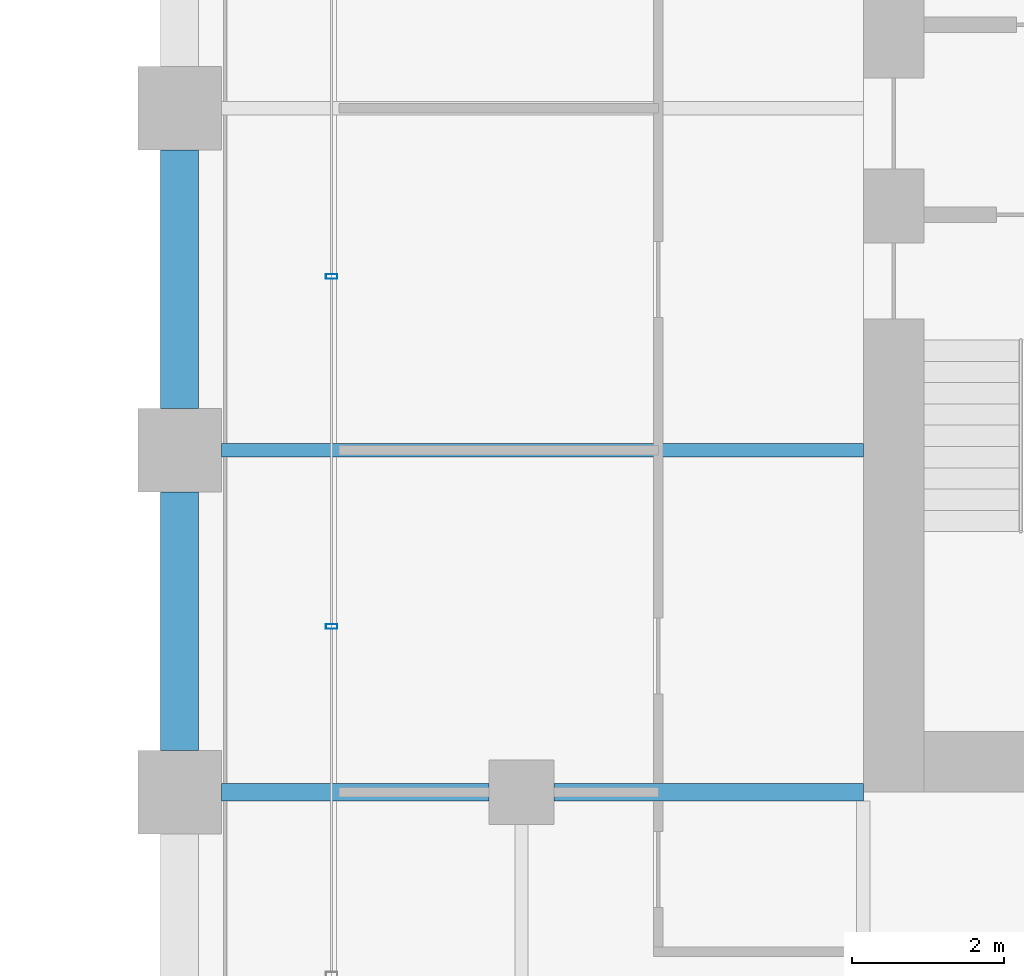
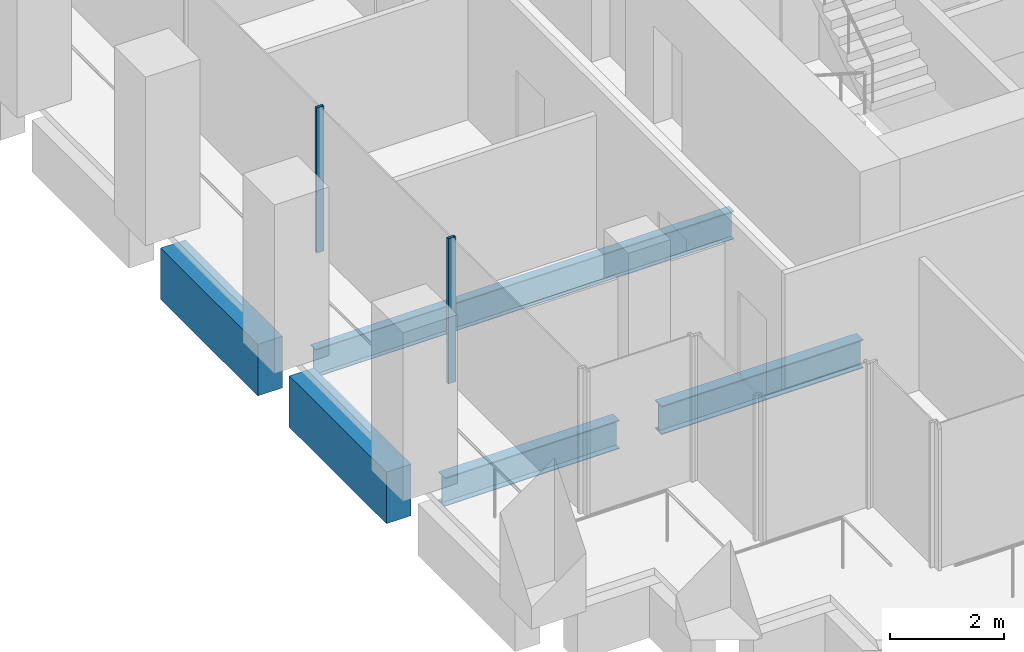
# One storey, part 36 of 56: 5 beams, 2 members, 1 element without a shape of its own.
"""IFC4 building model written with IfcOpenShell, lengths in metres."""

from ifc_helpers import new_model, si_unit, direction, frame, origin, origin_2d, place, context, subcontext, project, spatial, rectangle, hollow_rectangle, i_section, extrude, material, material_profile, profile_set, type_object, element, aggregate, save


model = new_model("IFC4")

# Units and contexts
model_context = context("Model", 3, precision=1e-05, world=origin(), true_north=direction((0.0, 1.0)))
body_context = subcontext(model_context, "Body", "Model", "MODEL_VIEW")
ifc_project = project(units=[si_unit("LENGTHUNIT", "METRE"), si_unit("AREAUNIT", "SQUARE_METRE"), si_unit("VOLUMEUNIT", "CUBIC_METRE"), si_unit("PLANEANGLEUNIT", "RADIAN"), si_unit("MASSUNIT", "GRAM", prefix="KILO")], contexts=[model_context])

# Site, building, storey
site_placement = place(None, origin())
site = spatial("IfcSite", under=ifc_project, at=site_placement, CompositionType="ELEMENT")
building_placement = place(site_placement, origin())
building = spatial("IfcBuilding", under=site, at=building_placement, Name="Altepetl Exchange Towers", CompositionType="ELEMENT")
storey_placement = place(building_placement, frame((0.0, 0.0, 51.0)))
storey = spatial("IfcBuildingStorey", under=building, at=storey_placement, Name="L11", CompositionType="ELEMENT", Elevation=51.0)

# Beams
ifc_material_1 = material(Name="Steel S355", Category="steel")
ifc_material_profile_1 = material_profile(ifc_material_1, i_section(OverallWidth=0.177978515625, OverallDepth=0.59912109375, WebThickness=0.010009765625, FlangeThickness=0.0126953125, at=origin_2d()), Name="W24X55")
ifc_profile_set_1 = profile_set([ifc_material_profile_1], Name="Steel S355")
beam_type_1 = type_object("IfcBeamType", Name="Floor beam W24X55", PredefinedType="BEAM", material=ifc_profile_set_1)
beam_1_placement = place(storey_placement, frame((95.050048828125, 40.5, -0.449462890625), z_axis=(1.0, 0.0, 0.0), x_axis=(0.0, 1.0, 0.0)))
element("IfcBeam", 1, at=beam_1_placement, inside=storey, type_object=beam_type_1, Name="bm:B:L11:012", PredefinedType="BEAM", context=body_context, shape_type="SweptSolid", body=[
    extrude(i_section(OverallWidth=0.177978515625, OverallDepth=0.59912109375, WebThickness=0.010009765625, FlangeThickness=0.0126953125, at=origin_2d()), origin(), (0.0, 0.0, 1.0), 8.449951171875),
])
ifc_material_profile_2 = material_profile(ifc_material_1, i_section(OverallWidth=0.22802734375, OverallDepth=0.60791015625, WebThickness=0.01123046875, FlangeThickness=0.017333984375, at=origin_2d()), Name="W24X76")
ifc_profile_set_2 = profile_set([ifc_material_profile_2], Name="Steel S355")
beam_type_2 = type_object("IfcBeamType", Name="Girder W24X76", PredefinedType="BEAM", material=ifc_profile_set_2)
beam_2_placement = place(storey_placement, frame((103.5, 36.0, -0.4541015625), z_axis=(-1.0, 0.0, 0.0), x_axis=(0.0, -1.0, 0.0)))
element("IfcBeam", 2, at=beam_2_placement, inside=storey, type_object=beam_type_2, Name="gd:B:L11:006", PredefinedType="BEAM", context=body_context, shape_type="SweptSolid", body=[
    extrude(i_section(OverallWidth=0.22802734375, OverallDepth=0.60791015625, WebThickness=0.01123046875, FlangeThickness=0.017333984375, at=origin_2d()), origin(), (0.0, 0.0, 1.0), 4.074951171875),
])
beam_3_placement = place(storey_placement, frame((98.574951171875, 36.0, -0.4541015625), z_axis=(-1.0, 0.0, 0.0), x_axis=(0.0, -1.0, 0.0)))
element("IfcBeam", 3, at=beam_3_placement, inside=storey, type_object=beam_type_2, Name="gd:B:L11:007", PredefinedType="BEAM", context=body_context, shape_type="SweptSolid", body=[
    extrude(i_section(OverallWidth=0.22802734375, OverallDepth=0.60791015625, WebThickness=0.01123046875, FlangeThickness=0.017333984375, at=origin_2d()), origin(), (0.0, 0.0, 1.0), 3.52490234375),
])

# Curtain wall, members
ifc_material_2 = material(Name="Aluminium 6063-T6 glazing", Category="aluminium")
curtain_wall_type = type_object("IfcCurtainWallType", Name="Loggia glazing system", PredefinedType="NOTDEFINED", material=ifc_material_2)
curtain_wall_placement = place(storey_placement, origin())
curtain_wall = element("IfcCurtainWall", 4, at=curtain_wall_placement, inside=storey, type_object=curtain_wall_type, Name="CW1 run", PredefinedType="NOTDEFINED")
ifc_material_3 = material(Name="Aluminium 6063-T6", Category="aluminium")
ifc_material_profile_3 = material_profile(ifc_material_3, hollow_rectangle(XDim=0.06005859375, YDim=0.14990234375, WallThickness=0.0029296875, at=origin_2d()), Name="Mullion 60x150 aluminium")
ifc_profile_set_3 = profile_set([ifc_material_profile_3], Name="Aluminium 6063-T6")
member_type = type_object("IfcMemberType", Name="Mullion 60x150 aluminium", PredefinedType="MULLION", material=ifc_profile_set_3)
member_1_placement = place(storey_placement, frame((96.5, 42.78759765625, 0.0), z_axis=(0.0, 0.0, 1.0), x_axis=(0.0, -1.0, 0.0)))
member_1 = element("IfcMember", 5, at=member_1_placement, type_object=member_type, Name="MU1 mullion", PredefinedType="MULLION", context=body_context, shape_type="SweptSolid", body=[
    extrude(hollow_rectangle(XDim=0.06005859375, YDim=0.14990234375, WallThickness=0.0029296875, at=origin_2d()), origin(), (0.0, 0.0, 1.0), 3.10009765625),
])
member_2_placement = place(storey_placement, frame((96.5, 38.18115234375, 0.0), z_axis=(0.0, 0.0, 1.0), x_axis=(0.0, -1.0, 0.0)))
member_2 = element("IfcMember", 6, at=member_2_placement, type_object=member_type, Name="MU1 mullion", PredefinedType="MULLION", context=body_context, shape_type="SweptSolid", body=[
    extrude(hollow_rectangle(XDim=0.06005859375, YDim=0.14990234375, WallThickness=0.0029296875, at=origin_2d()), origin(), (0.0, 0.0, 1.0), 3.10009765625),
])
aggregate(curtain_wall, [member_1, member_2])

# Beams
ifc_material_4 = material(Name="Concrete C50/60 precast with cantera rosa facing", Category="concrete")
ifc_material_profile_4 = material_profile(ifc_material_4, rectangle(XDim=0.5, YDim=1.10009765625, at=origin_2d()), Name="500 x 1100")
ifc_profile_set_4 = profile_set([ifc_material_profile_4], Name="Concrete C50/60 precast with cantera rosa facing")
beam_type_3 = type_object("IfcBeamType", Name="Spandrel beam 500x1100 cantera rosa", PredefinedType="SPANDREL", material=ifc_profile_set_4)
for number, where, z_axis, x_axis, name in (
    (7, (94.5, 44.449951171875, -0.699951171875), (0.0, -1.0, 0.0), (1.0, 0.0, 0.0), "sp:B:L11:029"),
    (8, (94.5, 39.949951171875, -0.699951171875), (0.0, -1.0, 0.0), (1.0, 0.0, 0.0), "sp:B:L11:030"),
):
    element("IfcBeam", number, at=place(storey_placement, frame(where, z_axis=z_axis, x_axis=x_axis)), inside=storey, type_object=beam_type_3, Name=name, PredefinedType="SPANDREL", context=body_context, shape_type="SweptSolid", body=[
        extrude(rectangle(XDim=0.5, YDim=1.10009765625, at=origin_2d()), origin(), (0.0, 0.0, 1.0), 3.39990234375),
    ])

save(model, "model.ifc")
